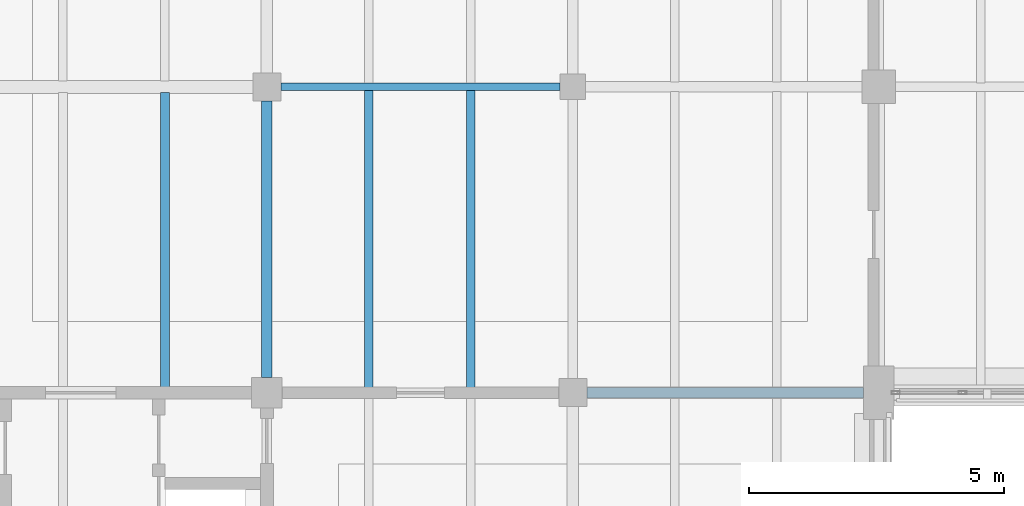
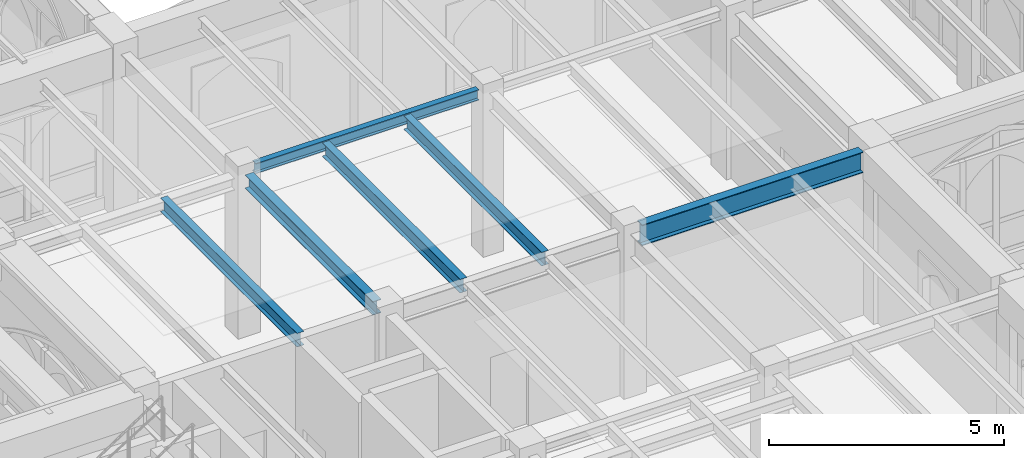
# One storey, part 50 of 127: 6 beams.
"""IFC4 building model written with IfcOpenShell, lengths in metres."""

from ifc_helpers import new_model, si_unit, direction, frame, origin, origin_2d, place, context, subcontext, project, spatial, i_section, extrude, material, material_profile, profile_set, type_object, element, save


model = new_model("IFC4")

# Units and contexts
model_context = context("Model", 3, precision=1e-05, world=origin(), true_north=direction((0.0, 1.0)))
body_context = subcontext(model_context, "Body", "Model", "MODEL_VIEW")
ifc_project = project(units=[si_unit("LENGTHUNIT", "METRE"), si_unit("AREAUNIT", "SQUARE_METRE"), si_unit("VOLUMEUNIT", "CUBIC_METRE"), si_unit("PLANEANGLEUNIT", "RADIAN"), si_unit("MASSUNIT", "GRAM", prefix="KILO")], contexts=[model_context])

# Site, building, storey
site_placement = place(None, origin())
site = spatial("IfcSite", under=ifc_project, at=site_placement, CompositionType="ELEMENT")
building_placement = place(site_placement, origin())
building = spatial("IfcBuilding", under=site, at=building_placement, Name="Cumevento Cable Car Station", CompositionType="ELEMENT")
storey_placement = place(building_placement, frame((0.0, 0.0, 4.5)))
storey = spatial("IfcBuildingStorey", under=building, at=storey_placement, Name="L02", CompositionType="ELEMENT", Elevation=4.5)

# Beams
ifc_material_1 = material(Name="Steel ASTM A572 Grade 50", Category="steel")
ifc_material_profile_1 = material_profile(ifc_material_1, i_section(OverallWidth=0.205078125, OverallDepth=0.35400390625, WebThickness=0.009521484375, FlangeThickness=0.016845703125, at=origin_2d()), Name="W360x79.0")
ifc_profile_set_1 = profile_set([ifc_material_profile_1], Name="Steel ASTM A572 Grade 50")
beam_type_1 = type_object("IfcBeamType", Name="Structural Beam BM-05 W360x79.0", PredefinedType="BEAM", material=ifc_profile_set_1)
beam_1_placement = place(storey_placement, frame((70.0, 45.300048828125, 4.051025390625), z_axis=(0.0, 1.0, 0.0), x_axis=(-1.0, 0.0, 0.0)))
element("IfcBeam", 1, at=beam_1_placement, inside=storey, type_object=beam_type_1, Name="Beam BM-05 L02 #603", PredefinedType="BEAM", context=body_context, shape_type="SweptSolid", body=[
    extrude(i_section(OverallWidth=0.205078125, OverallDepth=0.35400390625, WebThickness=0.009521484375, FlangeThickness=0.016845703125, at=origin_2d()), origin(), (0.0, 0.0, 1.0), 5.425048828125),
])
ifc_material_2 = material(Name="Steel ASTM A572 Grade 50", Category="steel")
ifc_material_profile_2 = material_profile(ifc_material_2, i_section(OverallWidth=0.14794921875, OverallDepth=0.26611328125, WebThickness=0.007568359375, FlangeThickness=0.012939453125, at=origin_2d()), Name="W250x44.8")
ifc_profile_set_2 = profile_set([ifc_material_profile_2], Name="Steel ASTM A572 Grade 50")
beam_type_2 = type_object("IfcBeamType", Name="Structural Beam BM-07 W250x44.8", PredefinedType="BEAM", material=ifc_profile_set_2)
beam_2_placement = place(storey_placement, frame((70.27490234375, 51.0, 4.131103515625), z_axis=(1.0, 0.0, 0.0), x_axis=(0.0, 1.0, 0.0)))
element("IfcBeam", 2, at=beam_2_placement, inside=storey, type_object=beam_type_2, Name="Beam BM-07 L02 #596", PredefinedType="BEAM", context=body_context, shape_type="SweptSolid", body=[
    extrude(i_section(OverallWidth=0.14794921875, OverallDepth=0.26611328125, WebThickness=0.007568359375, FlangeThickness=0.012939453125, at=origin_2d()), origin(), (0.0, 0.0, 1.0), 5.47509765625),
])
ifc_material_3 = material(Name="Steel ASTM A572 Grade 50", Category="steel")
ifc_material_profile_3 = material_profile(ifc_material_3, i_section(OverallWidth=0.2109375, OverallDepth=0.5390625, WebThickness=0.01171875, FlangeThickness=0.018798828125, at=origin_2d()), Name="W530x109.0")
ifc_profile_set_3 = profile_set([ifc_material_profile_3], Name="Steel ASTM A572 Grade 50")
beam_type_3 = type_object("IfcBeamType", Name="Structural Beam BM-11 W530x109.0", PredefinedType="BEAM", material=ifc_profile_set_3)
beam_3_placement = place(storey_placement, frame((76.27490234375, 45.0, 3.95849609375), z_axis=(1.0, 0.0, 0.0), x_axis=(0.0, 1.0, 0.0)))
element("IfcBeam", 3, at=beam_3_placement, inside=storey, type_object=beam_type_3, Name="Beam BM-11 L02 #512", PredefinedType="BEAM", context=body_context, shape_type="SweptSolid", body=[
    extrude(i_section(OverallWidth=0.2109375, OverallDepth=0.5390625, WebThickness=0.01171875, FlangeThickness=0.018798828125, at=origin_2d()), origin(), (0.0, 0.0, 1.0), 5.425048828125),
])
ifc_material_4 = material(Name="Steel ASTM A572 Grade 50", Category="steel")
ifc_material_profile_4 = material_profile(ifc_material_4, i_section(OverallWidth=0.1708984375, OverallDepth=0.35498046875, WebThickness=0.007080078125, FlangeThickness=0.01171875, at=origin_2d()), Name="W360x51.0")
ifc_profile_set_4 = profile_set([ifc_material_profile_4], Name="Steel ASTM A572 Grade 50")
beam_type_4 = type_object("IfcBeamType", Name="Structural Joist JS-01 W360x51.0", PredefinedType="JOIST", material=ifc_profile_set_4)
beam_4_placement = place(storey_placement, frame((68.0, 45.083984375, 4.050537109375), z_axis=(0.0, 1.0, 0.0), x_axis=(-1.0, 0.0, 0.0)))
element("IfcBeam", 4, at=beam_4_placement, inside=storey, type_object=beam_type_4, Name="Composite Floor Joist JS-01 L02 #820", PredefinedType="JOIST", context=body_context, shape_type="SweptSolid", body=[
    extrude(i_section(OverallWidth=0.1708984375, OverallDepth=0.35498046875, WebThickness=0.007080078125, FlangeThickness=0.01171875, at=origin_2d()), origin(), (0.0, 0.0, 1.0), 5.801025390625),
])
for number, where, z_axis, x_axis, name in (
    (5, (72.0, 45.083984375, 4.050537109375), (0.0, 1.0, 0.0), (-1.0, 0.0, 0.0), "Composite Floor Joist JS-01 L02 #822"),
    (6, (74.0, 45.083984375, 4.050537109375), (0.0, 1.0, 0.0), (-1.0, 0.0, 0.0), "Composite Floor Joist JS-01 L02 #824"),
):
    element("IfcBeam", number, at=place(storey_placement, frame(where, z_axis=z_axis, x_axis=x_axis)), inside=storey, type_object=beam_type_4, Name=name, PredefinedType="JOIST", context=body_context, shape_type="SweptSolid", body=[
        extrude(i_section(OverallWidth=0.1708984375, OverallDepth=0.35498046875, WebThickness=0.007080078125, FlangeThickness=0.01171875, at=origin_2d()), origin(), (0.0, 0.0, 1.0), 5.85400390625),
    ])

save(model, "model.ifc")
